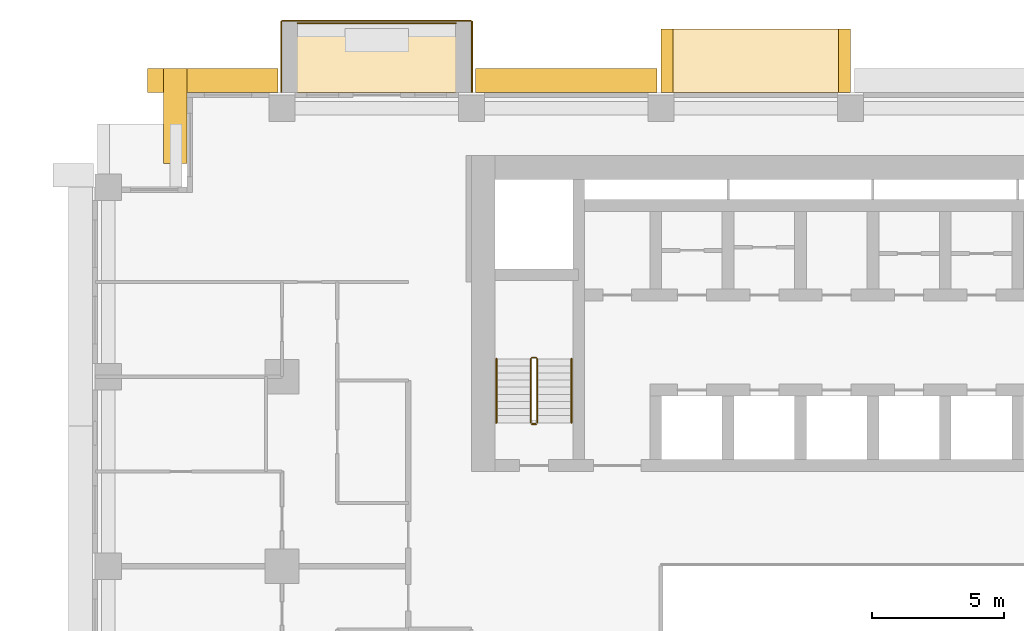
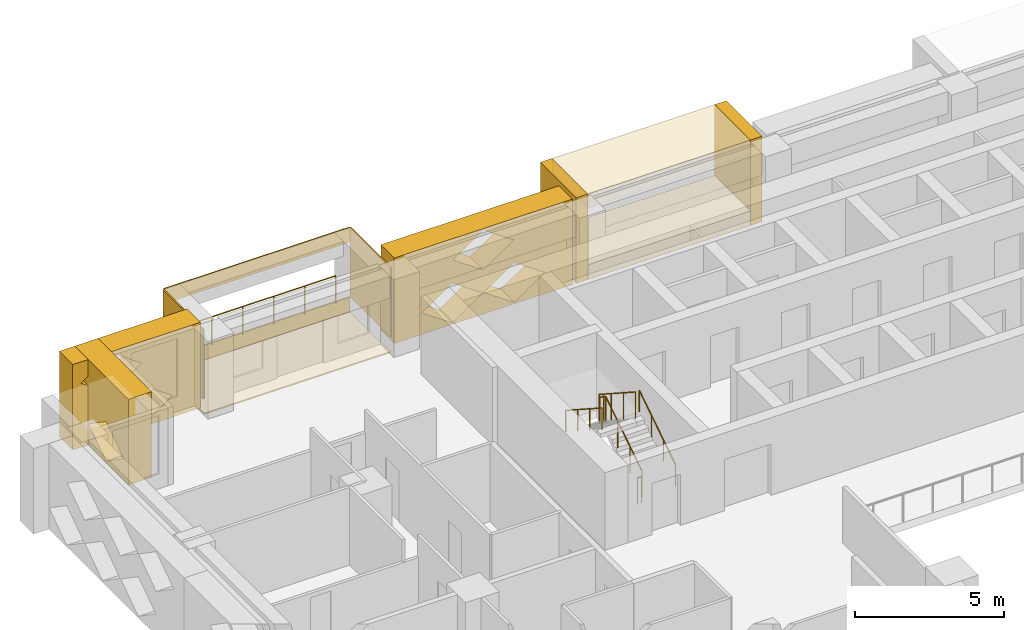
# One storey, part 14 of 16: 12 coverings, 5 railings.
"""IFC4 building model written with IfcOpenShell, lengths in metres."""

from ifc_helpers import new_model, si_unit, direction, frame, origin, origin_2d, place, context, subcontext, project, spatial, polyline, circle, outline, extrude, material, layer, layer_set, type_object, element, save


model = new_model("IFC4")

# Units and contexts
model_context = context("Model", 3, precision=1e-05, world=origin(), true_north=direction((0.0, 1.0)))
body_context = subcontext(model_context, "Body", "Model", "MODEL_VIEW")
ifc_project = project(units=[si_unit("LENGTHUNIT", "METRE"), si_unit("AREAUNIT", "SQUARE_METRE"), si_unit("VOLUMEUNIT", "CUBIC_METRE"), si_unit("PLANEANGLEUNIT", "RADIAN"), si_unit("MASSUNIT", "GRAM", prefix="KILO")], contexts=[model_context])

# Site, building, storey
site_placement = place(None, origin())
site = spatial("IfcSite", under=ifc_project, at=site_placement, CompositionType="ELEMENT")
building_placement = place(site_placement, origin())
building = spatial("IfcBuilding", under=site, at=building_placement, Name="Saffron Iwan Residences", CompositionType="ELEMENT")
storey_placement = place(building_placement, frame((0.0, 0.0, 83.0)))
storey = spatial("IfcBuildingStorey", under=building, at=storey_placement, Name="L21", CompositionType="ELEMENT", Elevation=83.0)

# Railing
ifc_material_1 = material(Name="Stainless steel 316", Category="steel")
railing_type_1 = type_object("IfcRailingType", Name="BALCONY GUARD 1150", PredefinedType="GUARDRAIL", material=ifc_material_1)
railing_1_placement = place(storey_placement, frame((28.199951171875, 83.02490234375, 0.0)))
element("IfcRailing", 1, at=railing_1_placement, inside=storey, type_object=railing_type_1, Name="Balcony guard L21 F5-3", PredefinedType="GUARDRAIL", context=body_context, shape_type="SweptSolid", body=[
    extrude(circle(Radius=0.02392578125, at=origin_2d()), frame((0.0, 0.0, 1.1259765625), z_axis=(-1.0, 0.0, 0.0), x_axis=(0.0, -1.0, 0.0)), (0.0, 0.0, 1.0), 6.0),
    extrude(circle(Radius=0.02099609375, at=origin_2d()), origin(), (0.0, 0.0, 1.0), 1.101806640625),
    extrude(circle(Radius=0.02099609375, at=origin_2d()), frame((-1.199951171875, 0.0, 0.0)), (0.0, 0.0, 1.0), 1.101806640625),
    extrude(circle(Radius=0.02099609375, at=origin_2d()), frame((-2.39990234375, 0.0, 0.0)), (0.0, 0.0, 1.0), 1.101806640625),
    extrude(circle(Radius=0.02099609375, at=origin_2d()), frame((-3.60009765625, 0.0, 0.0)), (0.0, 0.0, 1.0), 1.101806640625),
    extrude(circle(Radius=0.02099609375, at=origin_2d()), frame((-4.800048828125, 0.0, 0.0)), (0.0, 0.0, 1.0), 1.101806640625),
    extrude(circle(Radius=0.02099609375, at=origin_2d()), frame((-6.0, 0.0, 0.0)), (0.0, 0.0, 1.0), 1.101806640625),
])

# Coverings
ifc_material_2 = material(Name="Precast concrete C40/50 white painted", Category="concrete")
ifc_layer = layer(ifc_material_2, 0.050048828125)
ifc_layer_set = layer_set([ifc_layer], Name="Precast concrete C40/50 white painted")
covering_type_1 = type_object("IfcCoveringType", Name="FRAME SKIN PRECAST WHITE 50", PredefinedType="CLADDING", material=ifc_layer_set)
for number, where, name in (
    (2, (0.0, 0.0, -0.60009765625), "Frame skin slab edge L21 F5-3"),
    (3, (0.0, 0.0, 2.25), "Frame skin fascia L21 F5-3"),
):
    element("IfcCovering", number, at=place(storey_placement, frame(where)), inside=storey, type_object=covering_type_1, Name=name, PredefinedType="CLADDING", context=body_context, shape_type="SweptSolid", body=[
        extrude(outline(polyline([(28.800048828125, 83.14990234375), (21.60009765625, 83.14990234375), (21.60009765625, 83.10009765625), (28.800048828125, 83.10009765625), (28.800048828125, 83.14990234375)])), origin(), (0.0, 0.0, 1.0), 0.60009765625),
    ])
covering_1_placement = place(storey_placement, frame((0.0, 0.0, -0.64990234375)))
element("IfcCovering", 4, at=covering_1_placement, inside=storey, type_object=covering_type_1, Name="Frame skin soffit L21 F5-3", PredefinedType="CLADDING", context=body_context, shape_type="SweptSolid", body=[
    extrude(outline(polyline([(28.800048828125, 83.10009765625), (21.60009765625, 83.10009765625), (21.60009765625, 80.39990234375), (28.800048828125, 80.39990234375), (28.800048828125, 83.10009765625)])), origin(), (0.0, 0.0, 1.0), 0.0498046875),
])
covering_2_placement = place(storey_placement, origin())
element("IfcCovering", 5, at=covering_2_placement, inside=storey, type_object=covering_type_1, Name="Frame skin fin L21 F5-3a", PredefinedType="CLADDING", context=body_context, shape_type="SweptSolid", body=[
    extrude(outline(polyline([(28.85009765625, 83.10009765625), (28.800048828125, 83.10009765625), (28.800048828125, 80.39990234375), (28.85009765625, 80.39990234375), (28.85009765625, 83.10009765625)])), origin(), (0.0, 0.0, 1.0), 2.85009765625),
])
covering_3_placement = place(storey_placement, origin())
element("IfcCovering", 6, at=covering_3_placement, inside=storey, type_object=covering_type_1, Name="Frame skin fin L21 F5-3b", PredefinedType="CLADDING", context=body_context, shape_type="SweptSolid", body=[
    extrude(outline(polyline([(21.60009765625, 83.10009765625), (21.550048828125, 83.10009765625), (21.550048828125, 80.39990234375), (21.60009765625, 80.39990234375), (21.60009765625, 83.10009765625)])), origin(), (0.0, 0.0, 1.0), 2.85009765625),
])
ifc_material_3 = material(Name="Precast concrete C40/50", Category="concrete")
covering_type_2 = type_object("IfcCoveringType", Name="OUTER SKIN LATTICE SCREEN", PredefinedType="CLADDING", material=ifc_material_3)
covering_4_placement = place(storey_placement, frame((35.85009765625, 80.39990234375, -0.320068359375), z_axis=(0.0, 1.0, 0.0), x_axis=(-1.0, 0.0, 0.0)))
element("IfcCovering", 7, at=covering_4_placement, inside=storey, type_object=covering_type_2, Name="OUTER SKIN lattice screen L21 F5.3", PredefinedType="CLADDING", context=body_context, shape_type="SweptSolid", body=[
    extrude(outline(polyline([(0.0, 0.0), (6.89990234375, 0.0), (6.89990234375, 3.5), (0.0, 3.5), (0.0, 0.0)]), holes=[polyline([(1.070068359375, 0.875), (2.25, 0.06005859375), (3.429931640625, 0.875), (2.25, 1.68994140625), (1.070068359375, 0.875)]), polyline([(3.469970703125, 0.875), (4.64990234375, 0.06005859375), (5.830078125, 0.875), (4.64990234375, 1.68994140625), (3.469970703125, 0.875)]), polyline([(2.27001953125, 2.625), (3.449951171875, 1.81005859375), (4.6298828125, 2.625), (3.449951171875, 3.43994140625), (2.27001953125, 2.625)])]), origin(), (0.0, 0.0, 1.0), 0.900146484375),
])
covering_5_placement = place(storey_placement, frame((21.449951171875, 80.39990234375, -0.320068359375), z_axis=(0.0, 1.0, 0.0), x_axis=(-1.0, 0.0, 0.0)))
element("IfcCovering", 8, at=covering_5_placement, inside=storey, type_object=covering_type_2, Name="OUTER SKIN lattice screen L21 F5.4", PredefinedType="CLADDING", context=body_context, shape_type="SweptSolid", body=[
    extrude(outline(polyline([(0.0, 0.0), (4.949951171875, 0.0), (4.949951171875, 3.5), (0.0, 3.5), (0.0, 0.0)]), holes=[polyline([(1.070068359375, 0.875), (2.25, 0.06005859375), (3.429931640625, 0.875), (2.25, 1.68994140625), (1.070068359375, 0.875)]), polyline([(2.27001953125, 2.625), (3.449951171875, 1.81005859375), (4.6298828125, 2.625), (3.449951171875, 3.43994140625), (2.27001953125, 2.625)])]), origin(), (0.0, 0.0, 1.0), 0.900146484375),
])
covering_6_placement = place(storey_placement, frame((18.0, 81.300048828125, -0.320068359375), z_axis=(-1.0, 0.0, 0.0), x_axis=(0.0, -1.0, 0.0)))
element("IfcCovering", 9, at=covering_6_placement, inside=storey, type_object=covering_type_2, Name="OUTER SKIN lattice screen L21 F6.0", PredefinedType="CLADDING", context=body_context, shape_type="SweptSolid", body=[
    extrude(outline(polyline([(0.0, 0.0), (3.60009765625, 0.0), (3.60009765625, 3.5), (0.0, 3.5), (0.0, 0.0)]), holes=[polyline([(0.919921875, 0.875), (2.10009765625, 0.06005859375), (3.280029296875, 0.875), (2.10009765625, 1.68994140625), (0.919921875, 0.875)])]), origin(), (0.0, 0.0, 1.0), 0.89990234375),
])

# Railings
ifc_material_4 = material(Name="Steel S355", Category="steel")
railing_type_2 = type_object("IfcRailingType", Name="Stair guard 1100", PredefinedType="GUARDRAIL", material=ifc_material_4)
railing_2_placement = place(storey_placement, frame((31.300048828125, 67.85009765625, 0.175048828125)))
element("IfcRailing", 10, at=railing_2_placement, inside=storey, type_object=railing_type_2, Name="L21 ST-W stair guard 1", PredefinedType="GUARDRAIL", context=body_context, shape_type="SweptSolid", body=[
    extrude(circle(Radius=0.02392578125, at=origin_2d()), frame((0.0, 0.0, 1.076171875), z_axis=(0.0, 0.839153699163, 0.543894354798), x_axis=(-1.0, 0.0, 0.0)), (0.0, 0.0, 1.0), 2.895751953125),
    extrude(circle(Radius=0.02392578125, at=origin_2d()), frame((0.0, 2.429931640625, 2.65087890625), z_axis=(-0.707106781187, 0.707106781187, 0.0), x_axis=(-0.707106781187, -0.707106781187, 0.0)), (0.0, 0.0, 1.0), 0.07080078125),
    extrude(circle(Radius=0.02392578125, at=origin_2d()), frame((-0.050048828125, 2.47998046875, 2.65087890625), z_axis=(-1.0, 0.0, 0.0), x_axis=(0.0, -1.0, 0.0)), (0.0, 0.0, 1.0), 0.14990234375),
    extrude(circle(Radius=0.02392578125, at=origin_2d()), frame((-0.199951171875, 2.47998046875, 2.65087890625), z_axis=(-0.265065253269, -0.265065253269, 0.927081885822), x_axis=(0.707106781187, -0.707106781187, 0.0)), (0.0, 0.0, 1.0), 0.188720703125),
    extrude(circle(Radius=0.02392578125, at=origin_2d()), frame((-0.25, 2.429931640625, 2.826171875), z_axis=(0.0, -0.839153699163, 0.543894354798), x_axis=(1.0, 0.0, 0.0)), (0.0, 0.0, 1.0), 2.895751953125),
    extrude(circle(Radius=0.02099609375, at=origin_2d()), origin(), (0.0, 0.0, 1.0), 1.052001953125),
    extrude(circle(Radius=0.02099609375, at=origin_2d()), frame((0.0, 0.81005859375, 0.52490234375)), (0.0, 0.0, 1.0), 1.052001953125),
    extrude(circle(Radius=0.02099609375, at=origin_2d()), frame((0.0, 1.619873046875, 1.050048828125)), (0.0, 0.0, 1.0), 1.052001953125),
    extrude(circle(Radius=0.02099609375, at=origin_2d()), frame((0.0, 2.429931640625, 1.574951171875)), (0.0, 0.0, 1.0), 1.052001953125),
    extrude(circle(Radius=0.02099609375, at=origin_2d()), frame((-0.050048828125, 2.47998046875, 1.574951171875)), (0.0, 0.0, 1.0), 1.052001953125),
    extrude(circle(Radius=0.02099609375, at=origin_2d()), frame((-0.199951171875, 2.47998046875, 1.574951171875)), (0.0, 0.0, 1.0), 1.052001953125),
    extrude(circle(Radius=0.02099609375, at=origin_2d()), frame((-0.25, 2.429931640625, 1.75)), (0.0, 0.0, 1.0), 1.052001953125),
    extrude(circle(Radius=0.02099609375, at=origin_2d()), frame((-0.25, 1.619873046875, 2.27490234375)), (0.0, 0.0, 1.0), 1.052001953125),
    extrude(circle(Radius=0.02099609375, at=origin_2d()), frame((-0.25, 0.81005859375, 2.800048828125)), (0.0, 0.0, 1.0), 1.052001953125),
    extrude(circle(Radius=0.02099609375, at=origin_2d()), frame((-0.25, 0.0, 3.324951171875)), (0.0, 0.0, 1.0), 1.052001953125),
])
railing_3_placement = place(storey_placement, frame((31.25, 67.800048828125, 0.0)))
element("IfcRailing", 11, at=railing_3_placement, inside=storey, type_object=railing_type_2, Name="L21 ST-W stair guard 2", PredefinedType="GUARDRAIL", context=body_context, shape_type="SweptSolid", body=[
    extrude(circle(Radius=0.02392578125, at=origin_2d()), frame((0.0, 0.0, 1.076171875), z_axis=(-1.0, 0.0, 0.0), x_axis=(0.0, -1.0, 0.0)), (0.0, 0.0, 1.0), 0.14990234375),
    extrude(circle(Radius=0.02099609375, at=origin_2d()), origin(), (0.0, 0.0, 1.0), 1.052001953125),
    extrude(circle(Radius=0.02099609375, at=origin_2d()), frame((-0.14990234375, 0.0, 0.0)), (0.0, 0.0, 1.0), 1.052001953125),
])
railing_type_3 = type_object("IfcRailingType", Name="Stair handrail 900", PredefinedType="HANDRAIL", material=ifc_material_1)
railing_4_placement = place(storey_placement, frame((32.60009765625, 67.85009765625, 0.175048828125)))
element("IfcRailing", 12, at=railing_4_placement, inside=storey, type_object=railing_type_3, Name="L21 ST-W stair handrail 1", PredefinedType="HANDRAIL", context=body_context, shape_type="SweptSolid", body=[
    extrude(circle(Radius=0.02392578125, at=origin_2d()), frame((0.0, 0.0, 0.8759765625), z_axis=(0.0, 0.839153699163, 0.543894354798), x_axis=(-1.0, 0.0, 0.0)), (0.0, 0.0, 1.0), 2.895751953125),
    extrude(circle(Radius=0.02099609375, at=origin_2d()), origin(), (0.0, 0.0, 1.0), 0.851806640625),
    extrude(circle(Radius=0.02099609375, at=origin_2d()), frame((0.0, 0.81005859375, 0.52490234375)), (0.0, 0.0, 1.0), 0.851806640625),
    extrude(circle(Radius=0.02099609375, at=origin_2d()), frame((0.0, 1.619873046875, 1.050048828125)), (0.0, 0.0, 1.0), 0.851806640625),
    extrude(circle(Radius=0.02099609375, at=origin_2d()), frame((0.0, 2.429931640625, 1.574951171875)), (0.0, 0.0, 1.0), 0.851806640625),
])
railing_5_placement = place(storey_placement, frame((29.75, 70.280029296875, 1.925048828125)))
element("IfcRailing", 13, at=railing_5_placement, inside=storey, type_object=railing_type_3, Name="L21 ST-W stair handrail 2", PredefinedType="HANDRAIL", context=body_context, shape_type="SweptSolid", body=[
    extrude(circle(Radius=0.02392578125, at=origin_2d()), frame((0.0, 0.0, 0.8759765625), z_axis=(0.0, -0.839153699163, 0.543894354798), x_axis=(1.0, 0.0, 0.0)), (0.0, 0.0, 1.0), 2.895751953125),
    extrude(circle(Radius=0.02099609375, at=origin_2d()), origin(), (0.0, 0.0, 1.0), 0.851806640625),
    extrude(circle(Radius=0.02099609375, at=origin_2d()), frame((0.0, -0.81005859375, 0.52490234375)), (0.0, 0.0, 1.0), 0.851806640625),
    extrude(circle(Radius=0.02099609375, at=origin_2d()), frame((0.0, -1.619873046875, 1.050048828125)), (0.0, 0.0, 1.0), 0.851806640625),
    extrude(circle(Radius=0.02099609375, at=origin_2d()), frame((0.0, -2.429931640625, 1.574951171875)), (0.0, 0.0, 1.0), 0.851806640625),
])

# Coverings
covering_type_3 = type_object("IfcCoveringType", Name="WHITE SUN FRAME PRECAST", PredefinedType="CLADDING", material=ifc_material_2)
for number, where, z_axis, x_axis, name in (
    (14, (43.199951171875, 80.39990234375, -0.320068359375), (0.0, 1.0, 0.0), (-1.0, 0.0, 0.0), "Sun frame L21 F5 39.6a"),
    (15, (36.449951171875, 80.39990234375, -0.320068359375), (0.0, 1.0, 0.0), (-1.0, 0.0, 0.0), "Sun frame L21 F5 39.6b"),
):
    element("IfcCovering", number, at=place(storey_placement, frame(where, z_axis=z_axis, x_axis=x_axis)), inside=storey, type_object=covering_type_3, Name=name, PredefinedType="CLADDING", context=body_context, shape_type="SweptSolid", body=[
        extrude(outline(polyline([(0.0, 0.0), (0.449951171875, 0.0), (0.449951171875, 3.5), (0.0, 3.5), (0.0, 0.0)])), origin(), (0.0, 0.0, 1.0), 2.400146484375),
    ])
for number, where, z_axis, x_axis, name in (
    (16, (42.75, 80.39990234375, 2.580078125), (0.0, 1.0, 0.0), (-1.0, 0.0, 0.0), "Sun frame L21 F5 39.6h"),
    (17, (42.75, 80.39990234375, -0.320068359375), (0.0, 1.0, 0.0), (-1.0, 0.0, 0.0), "Sun frame L21 F5 39.6s"),
):
    element("IfcCovering", number, at=place(storey_placement, frame(where, z_axis=z_axis, x_axis=x_axis)), inside=storey, type_object=covering_type_3, Name=name, PredefinedType="CLADDING", context=body_context, shape_type="SweptSolid", body=[
        extrude(outline(polyline([(0.0, 0.0), (6.300048828125, 0.0), (6.300048828125, 0.60009765625), (0.0, 0.60009765625), (0.0, 0.0)])), origin(), (0.0, 0.0, 1.0), 2.400146484375),
    ])

save(model, "model.ifc")
